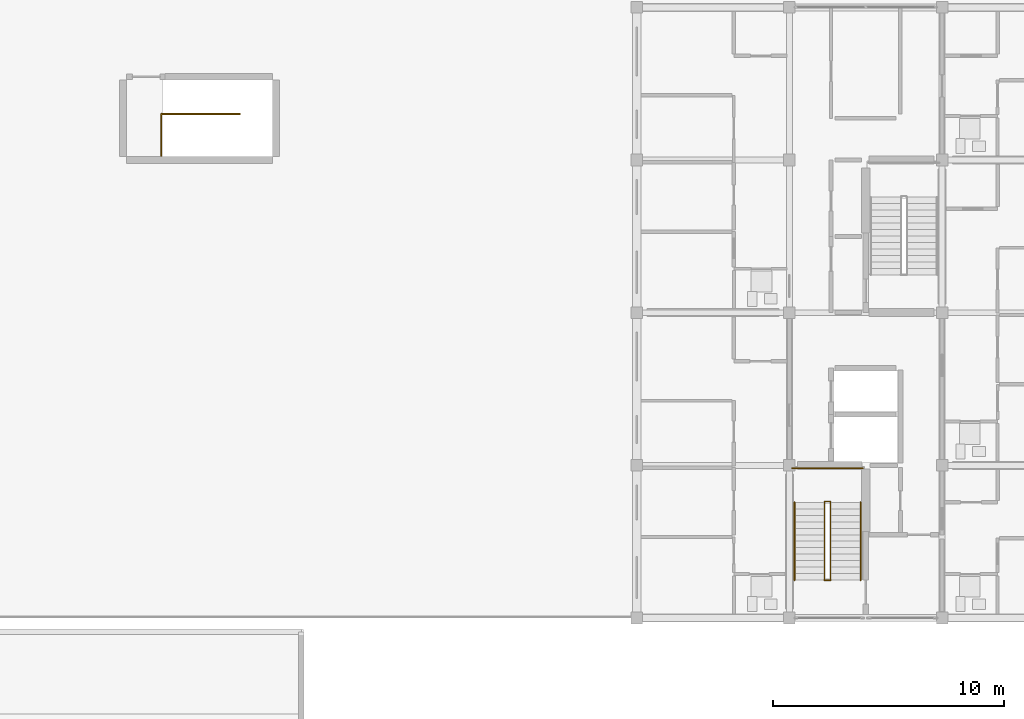
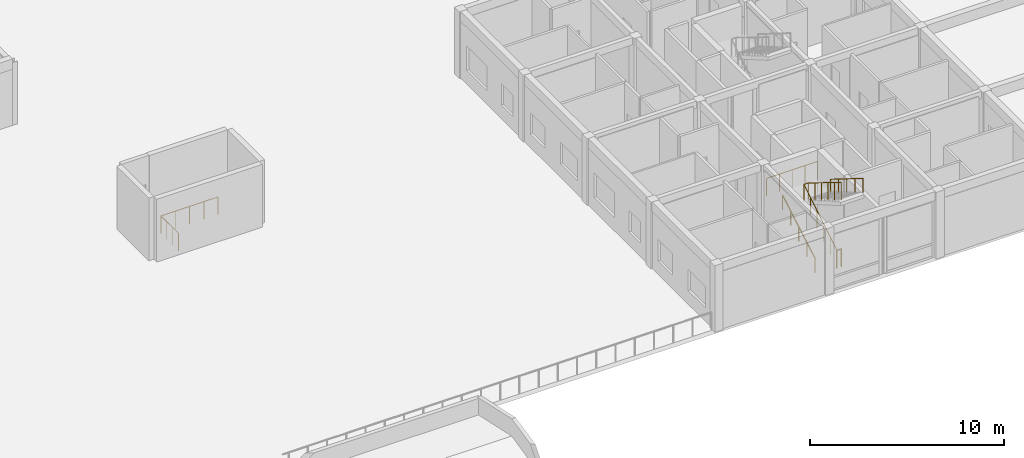
# One storey, part 84 of 92: 6 railings.
"""IFC4 building model written with IfcOpenShell, lengths in metres."""

from ifc_helpers import new_model, si_unit, direction, frame, origin, origin_2d, place, context, subcontext, project, spatial, circle, extrude, material, type_object, element, save


model = new_model("IFC4")

# Units and contexts
model_context = context("Model", 3, precision=1e-05, world=origin(), true_north=direction((0.0, 1.0)))
body_context = subcontext(model_context, "Body", "Model", "MODEL_VIEW")
ifc_project = project(units=[si_unit("LENGTHUNIT", "METRE"), si_unit("AREAUNIT", "SQUARE_METRE"), si_unit("VOLUMEUNIT", "CUBIC_METRE"), si_unit("PLANEANGLEUNIT", "RADIAN"), si_unit("MASSUNIT", "GRAM", prefix="KILO")], contexts=[model_context])

# Site, building, storey
site_placement = place(None, origin())
site = spatial("IfcSite", under=ifc_project, at=site_placement, CompositionType="ELEMENT")
building_placement = place(site_placement, origin())
building = spatial("IfcBuilding", under=site, at=building_placement, Name="Kernevlak Ridge Housing Community", CompositionType="ELEMENT")
storey_placement = place(building_placement, frame((0.0, 0.0, 4.199951171875)))
storey = spatial("IfcBuildingStorey", under=building, at=storey_placement, Name="L01", CompositionType="ELEMENT", Elevation=4.199951171875)

# Railings
ifc_material_1 = material(Name="Steel S355", Category="steel")
railing_type_1 = type_object("IfcRailingType", Name="GR-02", PredefinedType="GUARDRAIL", material=ifc_material_1)
railing_1_placement = place(storey_placement, frame((134.110107421875, 17.239990234375, 0.0)))
element("IfcRailing", 1, at=railing_1_placement, inside=storey, type_object=railing_type_1, Name="Stair ST-C1 L01 well slot guard", PredefinedType="GUARDRAIL", context=body_context, shape_type="SweptSolid", body=[
    extrude(circle(Radius=0.02392578125, at=origin_2d()), frame((0.0, 0.0, 1.09619140625), z_axis=(1.0, 0.0, 0.0), x_axis=(0.0, 1.0, 0.0)), (0.0, 0.0, 1.0), 0.27978515625),
    extrude(circle(Radius=0.02099609375, at=origin_2d()), origin(), (0.0, 0.0, 1.0), 1.072021484375),
    extrude(circle(Radius=0.02099609375, at=origin_2d()), frame((0.27978515625, 0.0, 0.0)), (0.0, 0.0, 1.0), 1.072021484375),
])
railing_2_placement = place(storey_placement, frame((134.1201171875, 17.239990234375, 0.0)))
element("IfcRailing", 2, at=railing_2_placement, inside=storey, type_object=railing_type_1, Name="Stair ST-C1 L01 inner well guardrail", PredefinedType="GUARDRAIL", context=body_context, shape_type="SweptSolid", body=[
    extrude(circle(Radius=0.02392578125, at=origin_2d()), frame((0.0, 0.0, 1.09619140625), z_axis=(0.0, 0.850780323153, 0.525521495028), x_axis=(-1.0, 0.0, 0.0)), (0.0, 0.0, 1.0), 3.996337890625),
    extrude(circle(Radius=0.02392578125, at=origin_2d()), frame((0.0, 3.39990234375, 3.1962890625), z_axis=(1.0, 0.0, 0.0), x_axis=(0.0, 1.0, 0.0)), (0.0, 0.0, 1.0), 0.259765625),
    extrude(circle(Radius=0.02392578125, at=origin_2d()), frame((0.259765625, 3.39990234375, 3.1962890625), z_axis=(0.0, -0.85080763774, 0.525477272167), x_axis=(1.0, 0.0, 0.0)), (0.0, 0.0, 1.0), 3.99609375),
    extrude(circle(Radius=0.02099609375, at=origin_2d()), origin(), (0.0, 0.0, 1.0), 1.072021484375),
    extrude(circle(Radius=0.02099609375, at=origin_2d()), frame((0.0, 0.679931640625, 0.419921875)), (0.0, 0.0, 1.0), 1.072021484375),
    extrude(circle(Radius=0.02099609375, at=origin_2d()), frame((0.0, 1.35986328125, 0.840087890625)), (0.0, 0.0, 1.0), 1.072021484375),
    extrude(circle(Radius=0.02099609375, at=origin_2d()), frame((0.0, 2.0400390625, 1.260009765625)), (0.0, 0.0, 1.0), 1.072021484375),
    extrude(circle(Radius=0.02099609375, at=origin_2d()), frame((0.0, 2.719970703125, 1.68017578125)), (0.0, 0.0, 1.0), 1.072021484375),
    extrude(circle(Radius=0.02099609375, at=origin_2d()), frame((0.0, 3.39990234375, 2.10009765625)), (0.0, 0.0, 1.0), 1.072021484375),
    extrude(circle(Radius=0.02099609375, at=origin_2d()), frame((0.259765625, 3.39990234375, 2.10009765625)), (0.0, 0.0, 1.0), 1.072021484375),
    extrude(circle(Radius=0.02099609375, at=origin_2d()), frame((0.259765625, 2.719970703125, 2.52001953125)), (0.0, 0.0, 1.0), 1.072021484375),
    extrude(circle(Radius=0.02099609375, at=origin_2d()), frame((0.259765625, 2.0400390625, 2.93994140625)), (0.0, 0.0, 1.0), 1.072021484375),
    extrude(circle(Radius=0.02099609375, at=origin_2d()), frame((0.259765625, 1.35986328125, 3.360107421875)), (0.0, 0.0, 1.0), 1.072021484375),
    extrude(circle(Radius=0.02099609375, at=origin_2d()), frame((0.259765625, 0.679931640625, 3.780029296875)), (0.0, 0.0, 1.0), 1.072021484375),
    extrude(circle(Radius=0.02099609375, at=origin_2d()), frame((0.259765625, 0.0, 4.199951171875)), (0.0, 0.0, 1.0), 1.072021484375),
])
railing_3_placement = place(storey_placement, frame((132.719970703125, 22.080078125, 2.10009765625)))
element("IfcRailing", 3, at=railing_3_placement, inside=storey, type_object=railing_type_1, Name="Stair ST-C1 L01 half-landing guard", PredefinedType="GUARDRAIL", context=body_context, shape_type="SweptSolid", body=[
    extrude(circle(Radius=0.02392578125, at=origin_2d()), frame((0.0, 0.0, 1.09619140625), z_axis=(1.0, 0.0, 0.0), x_axis=(0.0, 1.0, 0.0)), (0.0, 0.0, 1.0), 3.06005859375),
    extrude(circle(Radius=0.02099609375, at=origin_2d()), origin(), (0.0, 0.0, 1.0), 1.072021484375),
    extrude(circle(Radius=0.02099609375, at=origin_2d()), frame((0.76513671875, 0.0, 0.0)), (0.0, 0.0, 1.0), 1.072021484375),
    extrude(circle(Radius=0.02099609375, at=origin_2d()), frame((1.530029296875, 0.0, 0.0)), (0.0, 0.0, 1.0), 1.072021484375),
    extrude(circle(Radius=0.02099609375, at=origin_2d()), frame((2.294921875, 0.0, 0.0)), (0.0, 0.0, 1.0), 1.072021484375),
    extrude(circle(Radius=0.02099609375, at=origin_2d()), frame((3.06005859375, 0.0, 0.0)), (0.0, 0.0, 1.0), 1.072021484375),
])
railing_4_placement = place(storey_placement, frame((105.43994140625, 35.580078125, 0.0)))
element("IfcRailing", 4, at=railing_4_placement, inside=storey, type_object=railing_type_1, Name="Stair ST-P2 L01 top well guardrail", PredefinedType="GUARDRAIL", context=body_context, shape_type="SweptSolid", body=[
    extrude(circle(Radius=0.02392578125, at=origin_2d()), frame((0.0, 0.0, 1.09619140625), z_axis=(0.0, 1.0, 0.0), x_axis=(-1.0, 0.0, 0.0)), (0.0, 0.0, 1.0), 1.809814453125),
    extrude(circle(Radius=0.02392578125, at=origin_2d()), frame((0.0, 1.809814453125, 1.09619140625), z_axis=(1.0, 0.0, 0.0), x_axis=(0.0, 1.0, 0.0)), (0.0, 0.0, 1.0), 3.41015625),
    extrude(circle(Radius=0.02099609375, at=origin_2d()), origin(), (0.0, 0.0, 1.0), 1.072021484375),
    extrude(circle(Radius=0.02099609375, at=origin_2d()), frame((0.0, 0.603271484375, 0.0)), (0.0, 0.0, 1.0), 1.072021484375),
    extrude(circle(Radius=0.02099609375, at=origin_2d()), frame((0.0, 1.20654296875, 0.0)), (0.0, 0.0, 1.0), 1.072021484375),
    extrude(circle(Radius=0.02099609375, at=origin_2d()), frame((0.0, 1.809814453125, 0.0)), (0.0, 0.0, 1.0), 1.072021484375),
    extrude(circle(Radius=0.02099609375, at=origin_2d()), frame((0.8525390625, 1.809814453125, 0.0)), (0.0, 0.0, 1.0), 1.072021484375),
    extrude(circle(Radius=0.02099609375, at=origin_2d()), frame((1.705078125, 1.809814453125, 0.0)), (0.0, 0.0, 1.0), 1.072021484375),
    extrude(circle(Radius=0.02099609375, at=origin_2d()), frame((2.5576171875, 1.809814453125, 0.0)), (0.0, 0.0, 1.0), 1.072021484375),
    extrude(circle(Radius=0.02099609375, at=origin_2d()), frame((3.41015625, 1.809814453125, 0.0)), (0.0, 0.0, 1.0), 1.072021484375),
])
ifc_material_2 = material(Name="Stainless steel EN 1.4401", Category="steel")
railing_type_2 = type_object("IfcRailingType", Name="HR-01", PredefinedType="HANDRAIL", material=ifc_material_2)
railing_5_placement = place(storey_placement, frame((132.820068359375, 17.239990234375, 0.16162109375)))
element("IfcRailing", 5, at=railing_5_placement, inside=storey, type_object=railing_type_2, Name="Stair ST-C1 L01 flight 1 handrail", PredefinedType="HANDRAIL", context=body_context, shape_type="SweptSolid", body=[
    extrude(circle(Radius=0.02392578125, at=origin_2d()), frame((0.0, 0.0, 0.89599609375), z_axis=(0.0, 0.866190824863, 0.499713372768), x_axis=(-1.0, 0.0, 0.0)), (0.0, 0.0, 1.0), 3.879150390625),
    extrude(circle(Radius=0.02099609375, at=origin_2d()), origin(), (0.0, 0.0, 1.0), 0.871826171875),
    extrude(circle(Radius=0.02099609375, at=origin_2d()), frame((0.0, 0.840087890625, 0.484619140625)), (0.0, 0.0, 1.0), 0.871826171875),
    extrude(circle(Radius=0.02099609375, at=origin_2d()), frame((0.0, 1.68017578125, 0.96923828125)), (0.0, 0.0, 1.0), 0.871826171875),
    extrude(circle(Radius=0.02099609375, at=origin_2d()), frame((0.0, 2.52001953125, 1.453857421875)), (0.0, 0.0, 1.0), 0.871826171875),
    extrude(circle(Radius=0.02099609375, at=origin_2d()), frame((0.0, 3.360107421875, 1.9384765625)), (0.0, 0.0, 1.0), 0.871826171875),
])
railing_6_placement = place(storey_placement, frame((135.679931640625, 20.60009765625, 2.10009765625)))
element("IfcRailing", 6, at=railing_6_placement, inside=storey, type_object=railing_type_2, Name="Stair ST-C1 L01 flight 2 handrail", PredefinedType="HANDRAIL", context=body_context, shape_type="SweptSolid", body=[
    extrude(circle(Radius=0.02392578125, at=origin_2d()), frame((0.0, 0.0, 0.89599609375), z_axis=(0.0, -0.848022534174, 0.529960169762), x_axis=(1.0, 0.0, 0.0)), (0.0, 0.0, 1.0), 3.96240234375),
    extrude(circle(Radius=0.02099609375, at=origin_2d()), origin(), (0.0, 0.0, 1.0), 0.871826171875),
    extrude(circle(Radius=0.02099609375, at=origin_2d()), frame((0.0, -0.840087890625, 0.52490234375)), (0.0, 0.0, 1.0), 0.871826171875),
    extrude(circle(Radius=0.02099609375, at=origin_2d()), frame((0.0, -1.68017578125, 1.0498046875)), (0.0, 0.0, 1.0), 0.871826171875),
    extrude(circle(Radius=0.02099609375, at=origin_2d()), frame((0.0, -2.52001953125, 1.574951171875)), (0.0, 0.0, 1.0), 0.871826171875),
    extrude(circle(Radius=0.02099609375, at=origin_2d()), frame((0.0, -3.360107421875, 2.099853515625)), (0.0, 0.0, 1.0), 0.871826171875),
])

save(model, "model.ifc")
